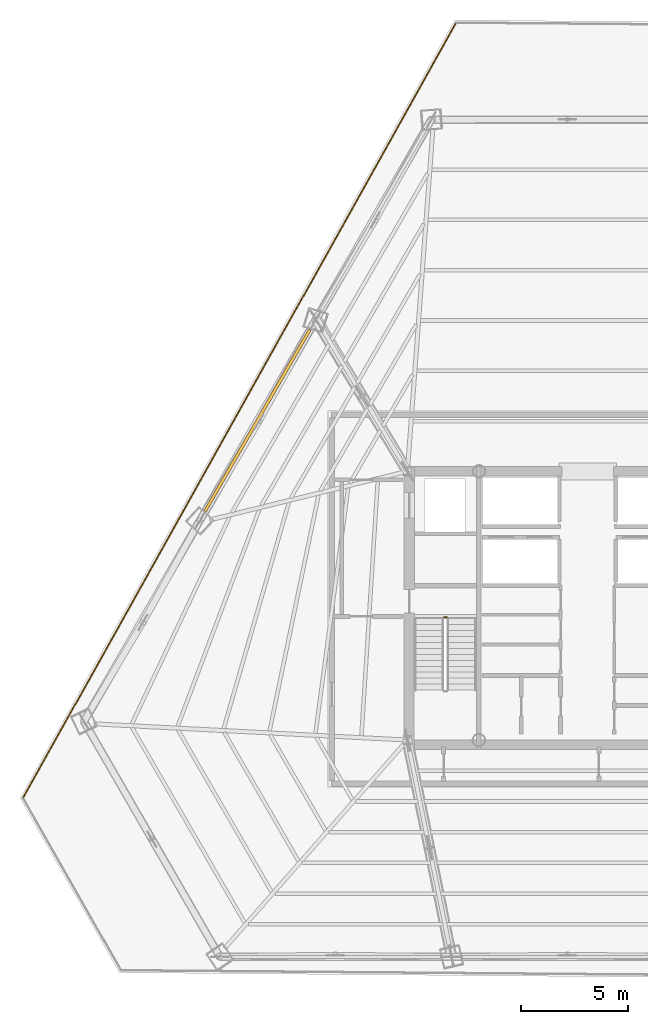
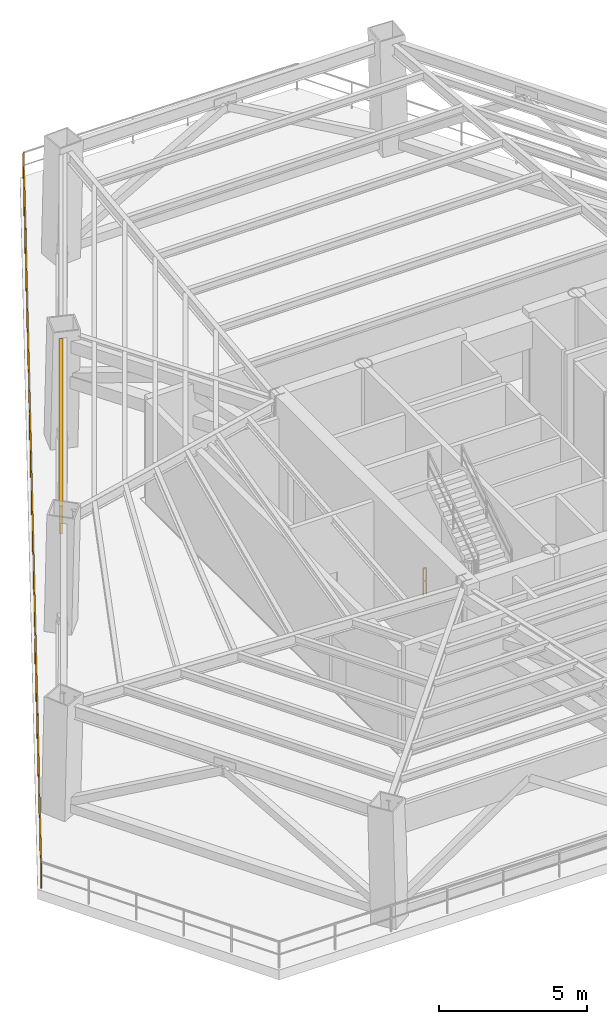
# One storey, part 10 of 12: 2 railings, 1 shading device.
"""IFC4 building model written with IfcOpenShell, lengths in metres."""

import ifcopenshell
import ifcopenshell.guid

model = None  # the IFC model being written
_history = None  # IfcOwnerHistory: only IFC2X3 demands one
_inside = {}  # id of a spatial element -> (the spatial element, [elements in it])
_under = {}  # id of a project, library or spatial element -> (it, [spatial elements below it])
_declared = {}  # id of a project -> (the project, [libraries it declares])
_typed = {}  # id of a type object -> (the type object, [elements of that type])
_made_of = {}  # id of a material, layer set ... -> (it, [elements and type objects made of it])


def new_model(schema):
    """Start an empty IFC model of exactly this schema.

    Asked for "IFC4X3", IfcOpenShell would pick the latest addendum, in which some entities
    have other attributes; the version numbers below select the first issue.
    IFC2X3 requires an IfcOwnerHistory on every rooted entity: one is made here for all.
    """
    global model, _history
    if schema == "IFC4X3":
        model = ifcopenshell.file(schema_version=(4, 3, 0, 0))
    else:
        model = ifcopenshell.file(schema=schema)
    _inside.clear()
    _under.clear()
    _declared.clear()
    _typed.clear()
    _made_of.clear()
    _history = None
    if model.schema == "IFC2X3":
        org = make("IfcOrganization", Name="unknown")
        user = make(
            "IfcPersonAndOrganization",
            ThePerson=make("IfcPerson", FamilyName="unknown"),
            TheOrganization=org,
        )
        app = make(
            "IfcApplication",
            ApplicationDeveloper=org,
            Version="unknown",
            ApplicationFullName="unknown",
            ApplicationIdentifier="unknown",
        )
        _history = make(
            "IfcOwnerHistory",
            OwningUser=user,
            OwningApplication=app,
            ChangeAction="ADDED",
            CreationDate=0,
        )
    return model


def make(cls, **values):
    """One entity of the class cls with the attributes given. An attribute that is None is left unset."""
    return model.create_entity(
        cls, **{name: value for name, value in values.items() if value is not None}
    )


def rooted(cls, **values):
    """An entity with a GlobalId (a new one), such as an element, a storey or a relation."""
    return make(cls, GlobalId=ifcopenshell.guid.new(), OwnerHistory=_history, **values)


def si_unit(unit_type, name, prefix=None):
    """IfcSIUnit, for example si_unit("LENGTHUNIT", "METRE", prefix="MILLI")."""
    return make("IfcSIUnit", UnitType=unit_type, Prefix=prefix, Name=name)


def assignment(units):
    """IfcUnitAssignment: the units of a project."""
    return None if units is None else make("IfcUnitAssignment", Units=units)


def point(xyz):
    """IfcCartesianPoint."""
    return None if xyz is None else make("IfcCartesianPoint", Coordinates=xyz)


def direction(xyz):
    """IfcDirection."""
    return None if xyz is None else make("IfcDirection", DirectionRatios=xyz)


def frame(location, z_axis=None, x_axis=None):
    """IfcAxis2Placement3D, a coordinate frame: its origin and axes. An axis left out is left unset."""
    return make(
        "IfcAxis2Placement3D",
        Location=point(location),
        Axis=direction(z_axis),
        RefDirection=direction(x_axis),
    )


def frame_2d(location, x_axis=None):
    """IfcAxis2Placement2D, a coordinate frame in the plane: its origin and x axis."""
    return make(
        "IfcAxis2Placement2D", Location=point(location), RefDirection=direction(x_axis)
    )


def origin():
    """The frame at (0, 0, 0) with its axes left unset."""
    return frame((0.0, 0.0, 0.0))


def origin_2d():
    """The frame at (0, 0) in the plane with its x axis left unset."""
    return frame_2d((0.0, 0.0))


def place(relative_to, where):
    """IfcLocalPlacement: puts the frame where relative to a parent placement (None: the world)."""
    return make(
        "IfcLocalPlacement", PlacementRelTo=relative_to, RelativePlacement=where
    )


def context(
    kind, dimensions, precision=None, world=None, true_north=None, identifier=None
):
    """IfcGeometricRepresentationContext, for example the 3D "Model" context."""
    return make(
        "IfcGeometricRepresentationContext",
        ContextIdentifier=identifier,
        ContextType=kind,
        CoordinateSpaceDimension=dimensions,
        Precision=precision,
        WorldCoordinateSystem=world,
        TrueNorth=true_north,
    )


def subcontext(parent, identifier, kind, view, scale=None):
    """IfcGeometricRepresentationSubContext, for example "Body" below "Model"."""
    return make(
        "IfcGeometricRepresentationSubContext",
        ContextIdentifier=identifier,
        ContextType=kind,
        ParentContext=parent,
        TargetScale=scale,
        TargetView=view,
    )


def project(units=None, contexts=None):
    """IfcProject with its units and contexts."""
    return rooted(
        "IfcProject",
        Name="project",
        RepresentationContexts=contexts,
        UnitsInContext=assignment(units),
    )


def spatial(cls, under=None, at=None, **own):
    """A site, building, storey or space (cls), placed at a placement, below another one or the project."""
    s = rooted(cls, ObjectPlacement=at, **own)
    if under is not None:
        _under.setdefault(under.id(), (under, []))[1].append(s)
    return s


def profile(cls, at=None, kind="AREA", **sizes):
    """A parametric profile (cls). Its sizes go by their IFC names, for example OverallWidth=200.0."""
    return make(cls, ProfileType=kind, Position=at, **sizes)


def rectangle(**sizes):
    """IfcRectangleProfileDef."""
    return profile("IfcRectangleProfileDef", **sizes)


def extrude(swept, where, along, depth):
    """IfcExtrudedAreaSolid: the profile swept, set in the frame where, extruded along a direction by depth."""
    return make(
        "IfcExtrudedAreaSolid",
        SweptArea=swept,
        Position=where,
        ExtrudedDirection=direction(along),
        Depth=depth,
    )


def shape(context_of_items, identifier, shape_type, items):
    """IfcShapeRepresentation: the items that make up one representation, for example the "Body"."""
    return make(
        "IfcShapeRepresentation",
        ContextOfItems=context_of_items,
        RepresentationIdentifier=identifier,
        RepresentationType=shape_type,
        Items=items,
    )


def source(mapping_origin, context_of_items, identifier, shape_type, items):
    """IfcRepresentationMap: a shape defined once, which mapped items show again and again."""
    return make(
        "IfcRepresentationMap",
        MappingOrigin=mapping_origin,
        MappedRepresentation=shape(context_of_items, identifier, shape_type, items),
    )


def transform(
    local_origin,
    x_axis=None,
    y_axis=None,
    z_axis=None,
    scale=None,
    scale2=None,
    scale3=None,
    uniform=True,
):
    """IfcCartesianTransformationOperator3D, or its non-uniform kind. x_axis, y_axis, z_axis: its Axis1, 2, 3."""
    if uniform:
        return make(
            "IfcCartesianTransformationOperator3D",
            Axis1=direction(x_axis),
            Axis2=direction(y_axis),
            LocalOrigin=point(local_origin),
            Scale=scale,
            Axis3=direction(z_axis),
        )
    return make(
        "IfcCartesianTransformationOperator3DnonUniform",
        Axis1=direction(x_axis),
        Axis2=direction(y_axis),
        LocalOrigin=point(local_origin),
        Scale=scale,
        Axis3=direction(z_axis),
        Scale2=scale2,
        Scale3=scale3,
    )


def mapped(mapping_source, mapping_target):
    """IfcMappedItem: shows the shape of a source again, moved by a transform."""
    return make(
        "IfcMappedItem", MappingSource=mapping_source, MappingTarget=mapping_target
    )


def material(Name=None, Category=None):
    """IfcMaterial."""
    return make("IfcMaterial", Name=Name, Category=Category)


def layer(
    of_material, thickness, ventilated=None, Name=None, Category=None, Priority=None
):
    """IfcMaterialLayer: one layer of a wall or slab, of a material (None: an air gap)."""
    return make(
        "IfcMaterialLayer",
        Material=of_material,
        LayerThickness=thickness,
        IsVentilated=ventilated,
        Name=Name,
        Category=Category,
        Priority=Priority,
    )


def layer_set(layers, Name=None):
    """IfcMaterialLayerSet."""
    return make("IfcMaterialLayerSet", MaterialLayers=layers, LayerSetName=Name)


def made_of(thing, what):
    """Note that an element or type object is made of a material, layer set ...; save() writes the relation."""
    if what is not None:
        _made_of.setdefault(what.id(), (what, []))[1].append(thing)
    return thing


def type_object(cls, material=None, **own):
    """A type object (cls), such as IfcWallType, which elements share."""
    return made_of(rooted(cls, **own), material)


def type_shapes(of_type, sources):
    """Give a type object the sources (RepresentationMaps) that its elements show as mapped items."""
    of_type.RepresentationMaps = sources


def element(
    cls,
    number,
    at=None,
    inside=None,
    cuts=None,
    type_object=None,
    material=None,
    context=None,
    identifier="Body",
    shape_type=None,
    held_by="IfcProductDefinitionShape",
    body=None,
    shapes=None,
    **own,
):
    """One element of the class cls, such as IfcWall. Its Tag is "e" and its number.

    at: its placement. inside: the storey or other place that contains it. cuts: it is an
    opening in that element (IfcRelVoidsElement). A single representation is given by context,
    identifier, shape_type and body (its items); several are given by shapes. held_by: the class
    of the entity that holds the representations. save() writes the other relations.
    """
    e = rooted(cls, Tag="e%d" % number, ObjectPlacement=at, **own)
    if body is not None:
        shapes = [shape(context, identifier, shape_type, body)]
    if shapes is not None:
        e.Representation = make(held_by, Representations=shapes)
    if inside is not None:
        _inside.setdefault(inside.id(), (inside, []))[1].append(e)
    if cuts is not None:
        rooted(
            "IfcRelVoidsElement", RelatingBuildingElement=cuts, RelatedOpeningElement=e
        )
    if type_object is not None:
        _typed.setdefault(type_object.id(), (type_object, []))[1].append(e)
    return made_of(e, material)


def aggregate(whole, parts):
    """IfcRelAggregates: a whole, such as a stair, and the parts it consists of."""
    return rooted("IfcRelAggregates", RelatingObject=whole, RelatedObjects=parts)


def save(model, path):
    """Write the relations noted so far, then the file.

    IfcRelAggregates (storeys below a building ...), IfcRelContainedInSpatialStructure (elements
    in a storey), IfcRelDefinesByType, IfcRelAssociatesMaterial and IfcRelDeclares: one each for
    every whole, place, type object, material and project.
    """
    for whole, parts in _under.values():
        aggregate(whole, parts)
    for where, things in _inside.values():
        rooted(
            "IfcRelContainedInSpatialStructure",
            RelatedElements=things,
            RelatingStructure=where,
        )
    for kind, things in _typed.values():
        rooted("IfcRelDefinesByType", RelatedObjects=things, RelatingType=kind)
    for what, things in _made_of.values():
        rooted("IfcRelAssociatesMaterial", RelatedObjects=things, RelatingMaterial=what)
    for by, libraries in _declared.values():
        rooted("IfcRelDeclares", RelatingContext=by, RelatedDefinitions=libraries)
    model.write(path)


model = new_model("IFC4")

# Units and contexts
model_context = context("Model", 3, precision=1e-05, world=origin(), true_north=direction((0.0, 1.0)))
body_context = subcontext(model_context, "Body", "Model", "MODEL_VIEW")
ifc_project = project(units=[si_unit("LENGTHUNIT", "METRE"), si_unit("AREAUNIT", "SQUARE_METRE"), si_unit("VOLUMEUNIT", "CUBIC_METRE"), si_unit("PLANEANGLEUNIT", "RADIAN"), si_unit("MASSUNIT", "GRAM", prefix="KILO")], contexts=[model_context])

# Site, building, storey
site_placement = place(None, origin())
site = spatial("IfcSite", under=ifc_project, at=site_placement, CompositionType="ELEMENT")
building_placement = place(site_placement, origin())
building = spatial("IfcBuilding", under=site, at=building_placement, Name="Caelisora Broadcast Tower", CompositionType="ELEMENT")
storey_placement = place(building_placement, frame((0.0, 0.0, 150.050048828125)))
storey = spatial("IfcBuildingStorey", under=building, at=storey_placement, Name="L39", CompositionType="ELEMENT", Elevation=150.050048828125)

# Railings
ifc_material_1 = material(Name="Laminated Glass and Stainless Steel Terrace Balustrade", Category="steel")
ifc_layer_1 = layer(ifc_material_1, 0.048095703125, Name="Laminated Glass and Stainless Steel Terrace Balustrade")
ifc_layer_set_1 = layer_set([ifc_layer_1], Name="Laminated Glass and Stainless Steel Terrace Balustrade")
railing_type_1 = type_object("IfcRailingType", Name="BL-1", PredefinedType="BALUSTRADE", material=ifc_layer_set_1)
railing_1_placement = place(storey_placement, frame((12.47705078125, 14.677978515625, 0.0)))
element("IfcRailing", 1, at=railing_1_placement, inside=storey, type_object=railing_type_1, Name="L39 balustrade BL-1 #05", PredefinedType="BALUSTRADE", context=body_context, shape_type="SweptSolid", body=[
    extrude(rectangle(XDim=0.048095703125, YDim=0.048095703125, at=origin_2d()), frame((0.0, 0.0, 1.076171875), z_axis=(0.487682341842, 0.873021152925, 0.0), x_axis=(-0.873021152925, 0.487682341842, 0.0)), (0.0, 0.0, 1.0), 41.64599609375),
    extrude(rectangle(XDim=0.03125, YDim=0.03125, at=origin_2d()), frame((0.0, 0.0, 0.550048828125), z_axis=(0.487682341842, 0.873021152925, 0.0), x_axis=(-0.873021152925, 0.487682341842, 0.0)), (0.0, 0.0, 1.0), 41.64599609375),
    extrude(rectangle(XDim=0.0419921875, YDim=0.0419921875, at=origin_2d()), origin(), (0.0, 0.0, 1.0), 1.052001953125),
    extrude(rectangle(XDim=0.0419921875, YDim=0.0419921875, at=origin_2d()), frame((1.06884765625, 1.91357421875, 0.0)), (0.0, 0.0, 1.0), 1.052001953125),
    extrude(rectangle(XDim=0.0419921875, YDim=0.0419921875, at=origin_2d()), frame((2.137939453125, 3.8271484375, 0.0)), (0.0, 0.0, 1.0), 1.052001953125),
    extrude(rectangle(XDim=0.0419921875, YDim=0.0419921875, at=origin_2d()), frame((3.206787109375, 5.74072265625, 0.0)), (0.0, 0.0, 1.0), 1.052001953125),
    extrude(rectangle(XDim=0.0419921875, YDim=0.0419921875, at=origin_2d()), frame((4.27587890625, 7.654296875, 0.0)), (0.0, 0.0, 1.0), 1.052001953125),
    extrude(rectangle(XDim=0.0419921875, YDim=0.0419921875, at=origin_2d()), frame((5.3447265625, 9.56787109375, 0.0)), (0.0, 0.0, 1.0), 1.052001953125),
    extrude(rectangle(XDim=0.0419921875, YDim=0.0419921875, at=origin_2d()), frame((6.413818359375, 11.4814453125, 0.0)), (0.0, 0.0, 1.0), 1.052001953125),
    extrude(rectangle(XDim=0.0419921875, YDim=0.0419921875, at=origin_2d()), frame((7.482666015625, 13.39501953125, 0.0)), (0.0, 0.0, 1.0), 1.052001953125),
    extrude(rectangle(XDim=0.0419921875, YDim=0.0419921875, at=origin_2d()), frame((8.551513671875, 15.30859375, 0.0)), (0.0, 0.0, 1.0), 1.052001953125),
    extrude(rectangle(XDim=0.0419921875, YDim=0.0419921875, at=origin_2d()), frame((9.62060546875, 17.22216796875, 0.0)), (0.0, 0.0, 1.0), 1.052001953125),
    extrude(rectangle(XDim=0.0419921875, YDim=0.0419921875, at=origin_2d()), frame((10.689453125, 19.1357421875, 0.0)), (0.0, 0.0, 1.0), 1.052001953125),
    extrude(rectangle(XDim=0.0419921875, YDim=0.0419921875, at=origin_2d()), frame((11.758544921875, 21.04931640625, 0.0)), (0.0, 0.0, 1.0), 1.052001953125),
    extrude(rectangle(XDim=0.0419921875, YDim=0.0419921875, at=origin_2d()), frame((12.827392578125, 22.962890625, 0.0)), (0.0, 0.0, 1.0), 1.052001953125),
    extrude(rectangle(XDim=0.0419921875, YDim=0.0419921875, at=origin_2d()), frame((13.896240234375, 24.87646484375, 0.0)), (0.0, 0.0, 1.0), 1.052001953125),
    extrude(rectangle(XDim=0.0419921875, YDim=0.0419921875, at=origin_2d()), frame((14.96533203125, 26.7900390625, 0.0)), (0.0, 0.0, 1.0), 1.052001953125),
    extrude(rectangle(XDim=0.0419921875, YDim=0.0419921875, at=origin_2d()), frame((16.0341796875, 28.70361328125, 0.0)), (0.0, 0.0, 1.0), 1.052001953125),
    extrude(rectangle(XDim=0.0419921875, YDim=0.0419921875, at=origin_2d()), frame((17.103271484375, 30.6171875, 0.0)), (0.0, 0.0, 1.0), 1.052001953125),
    extrude(rectangle(XDim=0.0419921875, YDim=0.0419921875, at=origin_2d()), frame((18.172119140625, 32.53076171875, 0.0)), (0.0, 0.0, 1.0), 1.052001953125),
    extrude(rectangle(XDim=0.0419921875, YDim=0.0419921875, at=origin_2d()), frame((19.2412109375, 34.4443359375, 0.0)), (0.0, 0.0, 1.0), 1.052001953125),
    extrude(rectangle(XDim=0.0419921875, YDim=0.0419921875, at=origin_2d()), frame((20.31005859375, 36.35791015625, 0.0)), (0.0, 0.0, 1.0), 1.052001953125),
])
ifc_material_2 = material(Name="Galvanised Steel Safety Guardrail", Category="steel")
ifc_layer_2 = layer(ifc_material_2, 0.048095703125, Name="Galvanised Steel Safety Guardrail")
ifc_layer_set_2 = layer_set([ifc_layer_2], Name="Galvanised Steel Safety Guardrail")
railing_type_2 = type_object("IfcRailingType", Name="GR-1", PredefinedType="GUARDRAIL", material=ifc_layer_set_2)
railing_2_placement = place(storey_placement, frame((32.219970703125, 23.14990234375, 0.0)))
element("IfcRailing", 2, at=railing_2_placement, inside=storey, type_object=railing_type_2, Name="L39 ST-1 stair guard 4", PredefinedType="GUARDRAIL", context=body_context, shape_type="SweptSolid", body=[
    extrude(rectangle(XDim=0.048095703125, YDim=0.048095703125, at=origin_2d()), frame((0.0, 0.0, 1.076171875), z_axis=(1.0, 0.0, 0.0), x_axis=(0.0, 1.0, 0.0)), (0.0, 0.0, 1.0), 0.1201171875),
    extrude(rectangle(XDim=0.03125, YDim=0.03125, at=origin_2d()), frame((0.0, 0.0, 0.550048828125), z_axis=(1.0, 0.0, 0.0), x_axis=(0.0, 1.0, 0.0)), (0.0, 0.0, 1.0), 0.1201171875),
    extrude(rectangle(XDim=0.0419921875, YDim=0.0419921875, at=origin_2d()), origin(), (0.0, 0.0, 1.0), 1.052001953125),
    extrude(rectangle(XDim=0.0419921875, YDim=0.0419921875, at=origin_2d()), frame((0.1201171875, 0.0, 0.0)), (0.0, 0.0, 1.0), 1.052001953125),
])

# Shading device
ifc_material_3 = material(Name="Anodised Terracotta Aluminium Acoustic Louvre", Category="aluminium")
ifc_layer_3 = layer(ifc_material_3, 0.139892578125, Name="Anodised Terracotta Aluminium Acoustic Louvre")
ifc_layer_set_3 = layer_set([ifc_layer_3], Name="Anodised Terracotta Aluminium Acoustic Louvre")
shading_device_type = type_object("IfcShadingDeviceType", Name="LV-1", PredefinedType="JALOUSIE", material=ifc_layer_set_3)
shared_shape = source(origin(), body_context, "Body", "SweptSolid", [
    extrude(rectangle(XDim=9.824462890625, YDim=0.139892578125, at=origin_2d()), origin(), (0.0, 0.0, 1.0), 1.14990234375),
])
type_shapes(shading_device_type, [shared_shape])
shading_device_placement = place(storey_placement, frame((23.472900390625, 32.38720703125, 3.409912109375), z_axis=(0.0, 0.0, 1.0), x_axis=(-0.5, -0.866025403784, 0.0)))
element("IfcShadingDevice", 3, at=shading_device_placement, inside=storey, type_object=shading_device_type, Name="L39 refuge wind-baffle louvre #2", PredefinedType="JALOUSIE", context=body_context, shape_type="MappedRepresentation", body=[
    mapped(shared_shape, transform((0.0, 0.0, 0.0), scale=1.0)),
])

save(model, "model.ifc")
